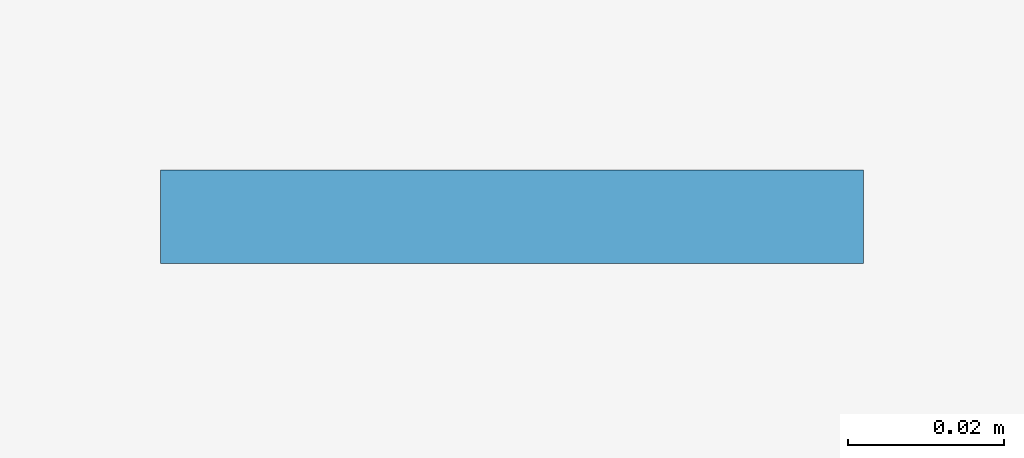
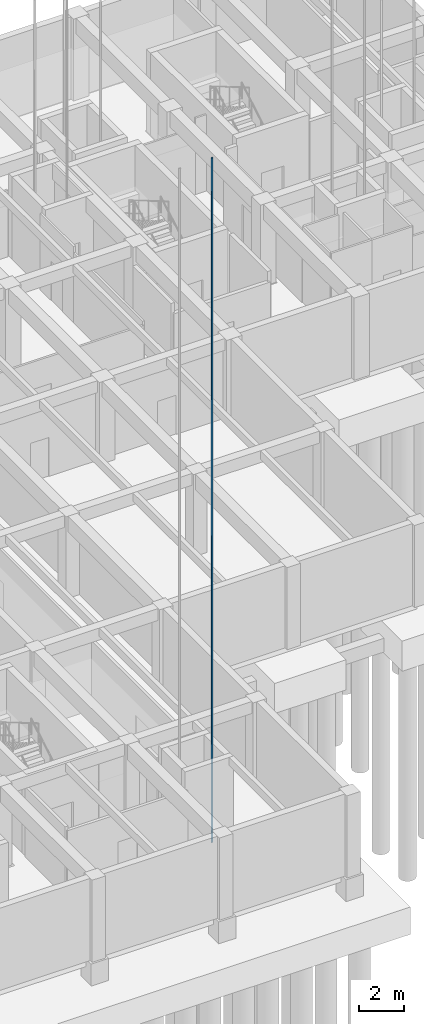
# One storey, part 19 of 44: 1 plate.
"""IFC4 building model written with IfcOpenShell, lengths in metres."""

import ifcopenshell
import ifcopenshell.guid

model = None  # the IFC model being written
_history = None  # IfcOwnerHistory: only IFC2X3 demands one
_inside = {}  # id of a spatial element -> (the spatial element, [elements in it])
_under = {}  # id of a project, library or spatial element -> (it, [spatial elements below it])
_declared = {}  # id of a project -> (the project, [libraries it declares])
_typed = {}  # id of a type object -> (the type object, [elements of that type])
_made_of = {}  # id of a material, layer set ... -> (it, [elements and type objects made of it])


def new_model(schema):
    """Start an empty IFC model of exactly this schema.

    Asked for "IFC4X3", IfcOpenShell would pick the latest addendum, in which some entities
    have other attributes; the version numbers below select the first issue.
    IFC2X3 requires an IfcOwnerHistory on every rooted entity: one is made here for all.
    """
    global model, _history
    if schema == "IFC4X3":
        model = ifcopenshell.file(schema_version=(4, 3, 0, 0))
    else:
        model = ifcopenshell.file(schema=schema)
    _inside.clear()
    _under.clear()
    _declared.clear()
    _typed.clear()
    _made_of.clear()
    _history = None
    if model.schema == "IFC2X3":
        org = make("IfcOrganization", Name="unknown")
        user = make(
            "IfcPersonAndOrganization",
            ThePerson=make("IfcPerson", FamilyName="unknown"),
            TheOrganization=org,
        )
        app = make(
            "IfcApplication",
            ApplicationDeveloper=org,
            Version="unknown",
            ApplicationFullName="unknown",
            ApplicationIdentifier="unknown",
        )
        _history = make(
            "IfcOwnerHistory",
            OwningUser=user,
            OwningApplication=app,
            ChangeAction="ADDED",
            CreationDate=0,
        )
    return model


def make(cls, **values):
    """One entity of the class cls with the attributes given. An attribute that is None is left unset."""
    return model.create_entity(
        cls, **{name: value for name, value in values.items() if value is not None}
    )


def rooted(cls, **values):
    """An entity with a GlobalId (a new one), such as an element, a storey or a relation."""
    return make(cls, GlobalId=ifcopenshell.guid.new(), OwnerHistory=_history, **values)


def si_unit(unit_type, name, prefix=None):
    """IfcSIUnit, for example si_unit("LENGTHUNIT", "METRE", prefix="MILLI")."""
    return make("IfcSIUnit", UnitType=unit_type, Prefix=prefix, Name=name)


def assignment(units):
    """IfcUnitAssignment: the units of a project."""
    return None if units is None else make("IfcUnitAssignment", Units=units)


def point(xyz):
    """IfcCartesianPoint."""
    return None if xyz is None else make("IfcCartesianPoint", Coordinates=xyz)


def direction(xyz):
    """IfcDirection."""
    return None if xyz is None else make("IfcDirection", DirectionRatios=xyz)


def frame(location, z_axis=None, x_axis=None):
    """IfcAxis2Placement3D, a coordinate frame: its origin and axes. An axis left out is left unset."""
    return make(
        "IfcAxis2Placement3D",
        Location=point(location),
        Axis=direction(z_axis),
        RefDirection=direction(x_axis),
    )


def frame_2d(location, x_axis=None):
    """IfcAxis2Placement2D, a coordinate frame in the plane: its origin and x axis."""
    return make(
        "IfcAxis2Placement2D", Location=point(location), RefDirection=direction(x_axis)
    )


def origin():
    """The frame at (0, 0, 0) with its axes left unset."""
    return frame((0.0, 0.0, 0.0))


def origin_2d():
    """The frame at (0, 0) in the plane with its x axis left unset."""
    return frame_2d((0.0, 0.0))


def place(relative_to, where):
    """IfcLocalPlacement: puts the frame where relative to a parent placement (None: the world)."""
    return make(
        "IfcLocalPlacement", PlacementRelTo=relative_to, RelativePlacement=where
    )


def context(
    kind, dimensions, precision=None, world=None, true_north=None, identifier=None
):
    """IfcGeometricRepresentationContext, for example the 3D "Model" context."""
    return make(
        "IfcGeometricRepresentationContext",
        ContextIdentifier=identifier,
        ContextType=kind,
        CoordinateSpaceDimension=dimensions,
        Precision=precision,
        WorldCoordinateSystem=world,
        TrueNorth=true_north,
    )


def subcontext(parent, identifier, kind, view, scale=None):
    """IfcGeometricRepresentationSubContext, for example "Body" below "Model"."""
    return make(
        "IfcGeometricRepresentationSubContext",
        ContextIdentifier=identifier,
        ContextType=kind,
        ParentContext=parent,
        TargetScale=scale,
        TargetView=view,
    )


def project(units=None, contexts=None):
    """IfcProject with its units and contexts."""
    return rooted(
        "IfcProject",
        Name="project",
        RepresentationContexts=contexts,
        UnitsInContext=assignment(units),
    )


def spatial(cls, under=None, at=None, **own):
    """A site, building, storey or space (cls), placed at a placement, below another one or the project."""
    s = rooted(cls, ObjectPlacement=at, **own)
    if under is not None:
        _under.setdefault(under.id(), (under, []))[1].append(s)
    return s


def profile(cls, at=None, kind="AREA", **sizes):
    """A parametric profile (cls). Its sizes go by their IFC names, for example OverallWidth=200.0."""
    return make(cls, ProfileType=kind, Position=at, **sizes)


def rectangle(**sizes):
    """IfcRectangleProfileDef."""
    return profile("IfcRectangleProfileDef", **sizes)


def extrude(swept, where, along, depth):
    """IfcExtrudedAreaSolid: the profile swept, set in the frame where, extruded along a direction by depth."""
    return make(
        "IfcExtrudedAreaSolid",
        SweptArea=swept,
        Position=where,
        ExtrudedDirection=direction(along),
        Depth=depth,
    )


def shape(context_of_items, identifier, shape_type, items):
    """IfcShapeRepresentation: the items that make up one representation, for example the "Body"."""
    return make(
        "IfcShapeRepresentation",
        ContextOfItems=context_of_items,
        RepresentationIdentifier=identifier,
        RepresentationType=shape_type,
        Items=items,
    )


def material(Name=None, Category=None):
    """IfcMaterial."""
    return make("IfcMaterial", Name=Name, Category=Category)


def layer(
    of_material, thickness, ventilated=None, Name=None, Category=None, Priority=None
):
    """IfcMaterialLayer: one layer of a wall or slab, of a material (None: an air gap)."""
    return make(
        "IfcMaterialLayer",
        Material=of_material,
        LayerThickness=thickness,
        IsVentilated=ventilated,
        Name=Name,
        Category=Category,
        Priority=Priority,
    )


def layer_set(layers, Name=None):
    """IfcMaterialLayerSet."""
    return make("IfcMaterialLayerSet", MaterialLayers=layers, LayerSetName=Name)


def made_of(thing, what):
    """Note that an element or type object is made of a material, layer set ...; save() writes the relation."""
    if what is not None:
        _made_of.setdefault(what.id(), (what, []))[1].append(thing)
    return thing


def type_object(cls, material=None, **own):
    """A type object (cls), such as IfcWallType, which elements share."""
    return made_of(rooted(cls, **own), material)


def element(
    cls,
    number,
    at=None,
    inside=None,
    cuts=None,
    type_object=None,
    material=None,
    context=None,
    identifier="Body",
    shape_type=None,
    held_by="IfcProductDefinitionShape",
    body=None,
    shapes=None,
    **own,
):
    """One element of the class cls, such as IfcWall. Its Tag is "e" and its number.

    at: its placement. inside: the storey or other place that contains it. cuts: it is an
    opening in that element (IfcRelVoidsElement). A single representation is given by context,
    identifier, shape_type and body (its items); several are given by shapes. held_by: the class
    of the entity that holds the representations. save() writes the other relations.
    """
    e = rooted(cls, Tag="e%d" % number, ObjectPlacement=at, **own)
    if body is not None:
        shapes = [shape(context, identifier, shape_type, body)]
    if shapes is not None:
        e.Representation = make(held_by, Representations=shapes)
    if inside is not None:
        _inside.setdefault(inside.id(), (inside, []))[1].append(e)
    if cuts is not None:
        rooted(
            "IfcRelVoidsElement", RelatingBuildingElement=cuts, RelatedOpeningElement=e
        )
    if type_object is not None:
        _typed.setdefault(type_object.id(), (type_object, []))[1].append(e)
    return made_of(e, material)


def aggregate(whole, parts):
    """IfcRelAggregates: a whole, such as a stair, and the parts it consists of."""
    return rooted("IfcRelAggregates", RelatingObject=whole, RelatedObjects=parts)


def save(model, path):
    """Write the relations noted so far, then the file.

    IfcRelAggregates (storeys below a building ...), IfcRelContainedInSpatialStructure (elements
    in a storey), IfcRelDefinesByType, IfcRelAssociatesMaterial and IfcRelDeclares: one each for
    every whole, place, type object, material and project.
    """
    for whole, parts in _under.values():
        aggregate(whole, parts)
    for where, things in _inside.values():
        rooted(
            "IfcRelContainedInSpatialStructure",
            RelatedElements=things,
            RelatingStructure=where,
        )
    for kind, things in _typed.values():
        rooted("IfcRelDefinesByType", RelatedObjects=things, RelatingType=kind)
    for what, things in _made_of.values():
        rooted("IfcRelAssociatesMaterial", RelatedObjects=things, RelatingMaterial=what)
    for by, libraries in _declared.values():
        rooted("IfcRelDeclares", RelatingContext=by, RelatedDefinitions=libraries)
    model.write(path)


model = new_model("IFC4")

# Units and contexts
model_context = context("Model", 3, precision=1e-05, world=origin(), true_north=direction((0.0, 1.0)))
body_context = subcontext(model_context, "Body", "Model", "MODEL_VIEW")
ifc_project = project(units=[si_unit("LENGTHUNIT", "METRE"), si_unit("AREAUNIT", "SQUARE_METRE"), si_unit("VOLUMEUNIT", "CUBIC_METRE"), si_unit("PLANEANGLEUNIT", "RADIAN"), si_unit("MASSUNIT", "GRAM", prefix="KILO")], contexts=[model_context])

# Site, building, storey
site_placement = place(None, origin())
site = spatial("IfcSite", under=ifc_project, at=site_placement, CompositionType="ELEMENT")
building_placement = place(site_placement, origin())
building = spatial("IfcBuilding", under=site, at=building_placement, Name="Kolvaren Faculty of Natural Sciences", CompositionType="ELEMENT")
storey_placement = place(building_placement, frame((0.0, 0.0, -4.5)))
storey = spatial("IfcBuildingStorey", under=building, at=storey_placement, Name="B01", CompositionType="ELEMENT", Elevation=-4.5)

# Plate
ifc_material = material(Name="Structural steel EN 10025-2 S355J2", Category="steel")
ifc_layer = layer(ifc_material, 0.011962890625)
ifc_layer_set = layer_set([ifc_layer], Name="Structural steel EN 10025-2 S355J2")
plate_type = type_object("IfcPlateType", Name="LiftGuideRail_T89", PredefinedType="USERDEFINED", material=ifc_layer_set)
plate_placement = place(storey_placement, frame((135.18994140625, 31.5, -0.820068359375), z_axis=(0.0, 0.0, 1.0), x_axis=(1.0, 0.0, 0.0)))
element("IfcPlate", 1, at=plate_placement, inside=storey, type_object=plate_type, Name="Lift PL-3 steel guide rail 2", ObjectType="GUIDE RAIL", PredefinedType="USERDEFINED", context=body_context, shape_type="SweptSolid", body=[
    extrude(rectangle(XDim=0.090087890625, YDim=0.011962890625, at=origin_2d()), origin(), (0.0, 0.0, 1.0), 37.52001953125),
])

save(model, "model.ifc")
